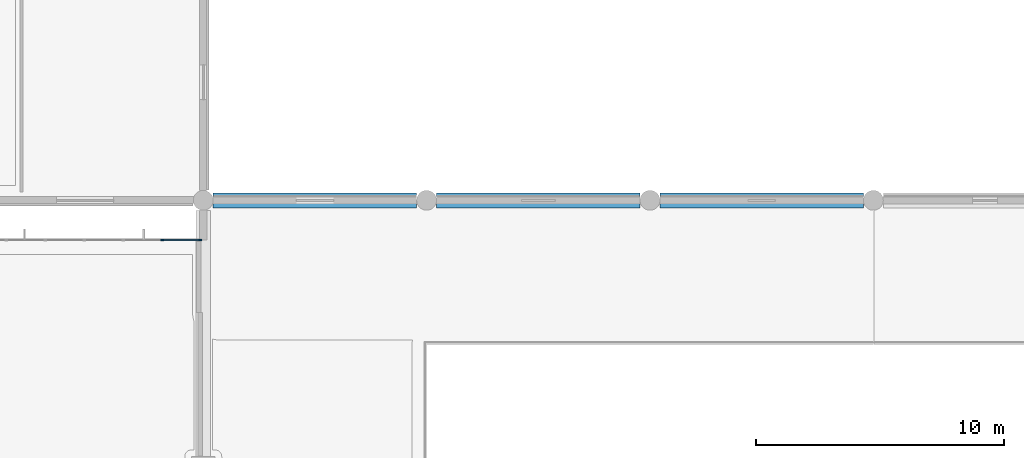
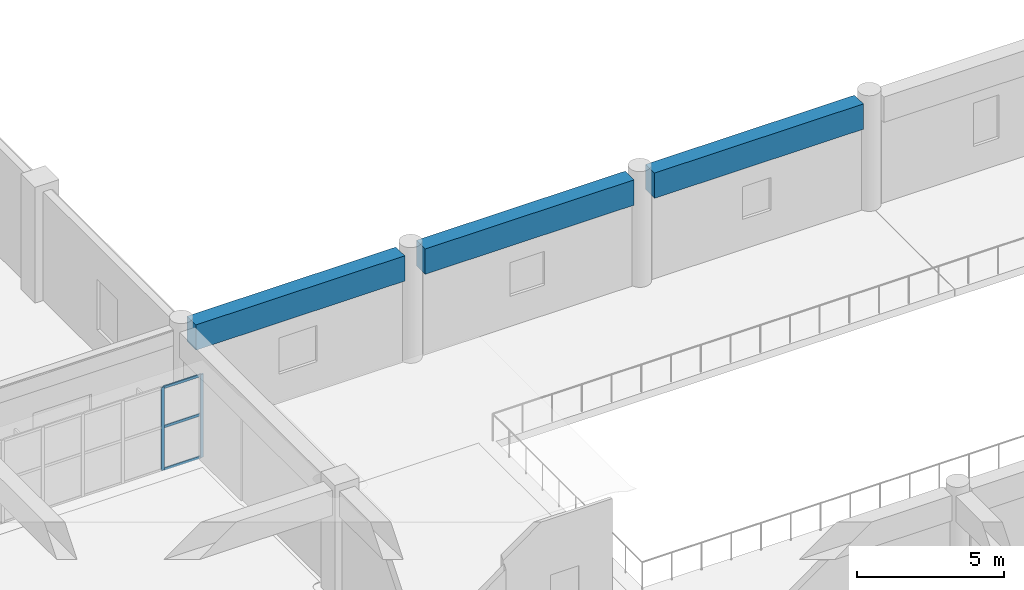
# One storey, part 24 of 86: 5 members, 3 beams, 1 element without a shape of its own.
"""IFC4 building model written with IfcOpenShell, lengths in metres."""

from ifc_helpers import new_model, si_unit, direction, frame, origin, origin_2d, place, context, subcontext, project, spatial, rectangle, extrude, material, layer, layer_set, material_profile, profile_set, type_object, element, aggregate, save


model = new_model("IFC4")

# Units and contexts
model_context = context("Model", 3, precision=1e-05, world=origin(), true_north=direction((0.0, 1.0)))
body_context = subcontext(model_context, "Body", "Model", "MODEL_VIEW")
ifc_project = project(units=[si_unit("LENGTHUNIT", "METRE"), si_unit("AREAUNIT", "SQUARE_METRE"), si_unit("VOLUMEUNIT", "CUBIC_METRE"), si_unit("PLANEANGLEUNIT", "RADIAN"), si_unit("MASSUNIT", "GRAM", prefix="KILO")], contexts=[model_context])

# Site, building, storey
site_placement = place(None, origin())
site = spatial("IfcSite", under=ifc_project, at=site_placement, CompositionType="ELEMENT")
building_placement = place(site_placement, origin())
building = spatial("IfcBuilding", under=site, at=building_placement, Name="Cendralis Terraced Arcade", CompositionType="ELEMENT")
storey_placement = place(building_placement, frame((0.0, 0.0, 5.39990234375)))
storey = spatial("IfcBuildingStorey", under=building, at=storey_placement, Name="L01", CompositionType="ELEMENT", Elevation=5.39990234375)

# Beams
ifc_material_1 = material(Name="Concrete f'c 35 MPa", Category="concrete")
ifc_material_profile_1 = material_profile(ifc_material_1, rectangle(XDim=0.60009765625, YDim=1.050048828125, at=origin_2d()), Name="RC-BM-600x1050", Category="LoadBearing")
ifc_profile_set_1 = profile_set([ifc_material_profile_1], Name="Concrete f'c 35 MPa")
beam_type = type_object("IfcBeamType", Name="BM-600x1050", PredefinedType="JOIST", material=ifc_profile_set_1)
for number, where, z_axis, x_axis, name in (
    (1, (67.60009765625, 60.0, 3.97998046875), (1.0, 0.0, 0.0), (0.0, 1.0, 0.0), "Reinforced Concrete Frame Beam BM-X-L02-G-8_9"),
    (2, (76.60009765625, 60.0, 3.97998046875), (1.0, 0.0, 0.0), (0.0, 1.0, 0.0), "Reinforced Concrete Frame Beam BM-X-L02-G-9_10"),
    (3, (85.60009765625, 60.0, 3.97998046875), (1.0, 0.0, 0.0), (0.0, 1.0, 0.0), "Reinforced Concrete Frame Beam BM-X-L02-G-10_11"),
):
    element("IfcBeam", number, at=place(storey_placement, frame(where, z_axis=z_axis, x_axis=x_axis)), inside=storey, type_object=beam_type, Name=name, PredefinedType="JOIST", context=body_context, shape_type="SweptSolid", body=[
        extrude(rectangle(XDim=0.60009765625, YDim=1.050048828125, at=origin_2d()), origin(), (0.0, 0.0, 1.0), 8.199951171875),
    ])

# Curtain wall, members
ifc_material_2 = material(Name="Anodised aluminium EN AW-6063 T6", Category="aluminium")
ifc_layer = layer(ifc_material_2, 0.1201171875, Name="CW-STORE-B")
ifc_layer_set = layer_set([ifc_layer], Name="Anodised aluminium EN AW-6063 T6")
curtain_wall_type = type_object("IfcCurtainWallType", Name="CW-STORE-B", PredefinedType="USERDEFINED", material=ifc_layer_set)
curtain_wall_placement = place(storey_placement, origin())
curtain_wall = element("IfcCurtainWall", 4, at=curtain_wall_placement, inside=storey, type_object=curtain_wall_type, Name="Exterior Storefront Glazing CW-L01-0112", ObjectType="STOREFRONT GLAZING", PredefinedType="USERDEFINED")
ifc_material_profile_2 = material_profile(ifc_material_2, rectangle(XDim=0.054931640625, YDim=0.1201171875, at=origin_2d()), Name="ALU-MUL-55x120")
ifc_profile_set_2 = profile_set([ifc_material_profile_2], Name="Anodised aluminium EN AW-6063 T6")
member_type_1 = type_object("IfcMemberType", Name="CW-STORE-B-MUL", PredefinedType="MULLION", material=ifc_profile_set_2)
member_1_placement = place(storey_placement, frame((65.5400390625, 58.39990234375, 0.0), z_axis=(0.0, 0.0, 1.0), x_axis=(0.0, 1.0, 0.0)))
member_1 = element("IfcMember", 5, at=member_1_placement, type_object=member_type_1, Name="CW-S2 mullion 6", PredefinedType="MULLION", context=body_context, shape_type="SweptSolid", body=[
    extrude(rectangle(XDim=0.054931640625, YDim=0.1201171875, at=origin_2d()), origin(), (0.0, 0.0, 1.0), 3.445068359375),
])
member_2_placement = place(storey_placement, frame((67.08251953125, 58.39990234375, 0.0), z_axis=(0.0, 0.0, 1.0), x_axis=(0.0, 1.0, 0.0)))
member_2 = element("IfcMember", 6, at=member_2_placement, type_object=member_type_1, Name="CW-S2 mullion 7", PredefinedType="MULLION", context=body_context, shape_type="SweptSolid", body=[
    extrude(rectangle(XDim=0.054931640625, YDim=0.1201171875, at=origin_2d()), origin(), (0.0, 0.0, 1.0), 3.445068359375),
])
ifc_material_profile_3 = material_profile(ifc_material_2, rectangle(XDim=0.054931640625, YDim=0.10009765625, at=origin_2d()), Name="ALU-TRN-55x100")
ifc_profile_set_3 = profile_set([ifc_material_profile_3], Name="Anodised aluminium EN AW-6063 T6")
member_type_2 = type_object("IfcMemberType", Name="CW-STORE-B-TRN", PredefinedType="USERDEFINED", material=ifc_profile_set_3)
member_3_placement = place(storey_placement, frame((65.5673828125, 58.39990234375, 0.027587890625), z_axis=(1.0, 0.0, 0.0), x_axis=(0.0, 1.0, 0.0)))
member_3 = element("IfcMember", 7, at=member_3_placement, type_object=member_type_2, Name="CW-S2 transom 6.1", ObjectType="TRANSOM", PredefinedType="USERDEFINED", context=body_context, shape_type="SweptSolid", body=[
    extrude(rectangle(XDim=0.054931640625, YDim=0.10009765625, at=origin_2d()), origin(), (0.0, 0.0, 1.0), 1.487548828125),
])
member_4_placement = place(storey_placement, frame((65.5673828125, 58.39990234375, 1.79150390625), z_axis=(1.0, 0.0, 0.0), x_axis=(0.0, 1.0, 0.0)))
member_4 = element("IfcMember", 8, at=member_4_placement, type_object=member_type_2, Name="CW-S2 transom 6.2", ObjectType="TRANSOM", PredefinedType="USERDEFINED", context=body_context, shape_type="SweptSolid", body=[
    extrude(rectangle(XDim=0.054931640625, YDim=0.10009765625, at=origin_2d()), origin(), (0.0, 0.0, 1.0), 1.487548828125),
])
member_5_placement = place(storey_placement, frame((65.5673828125, 58.39990234375, 3.41748046875), z_axis=(1.0, 0.0, 0.0), x_axis=(0.0, 1.0, 0.0)))
member_5 = element("IfcMember", 9, at=member_5_placement, type_object=member_type_2, Name="CW-S2 transom 6.3", ObjectType="TRANSOM", PredefinedType="USERDEFINED", context=body_context, shape_type="SweptSolid", body=[
    extrude(rectangle(XDim=0.054931640625, YDim=0.10009765625, at=origin_2d()), origin(), (0.0, 0.0, 1.0), 1.487548828125),
])
aggregate(curtain_wall, [member_1, member_2, member_3, member_4, member_5])

save(model, "model.ifc")
